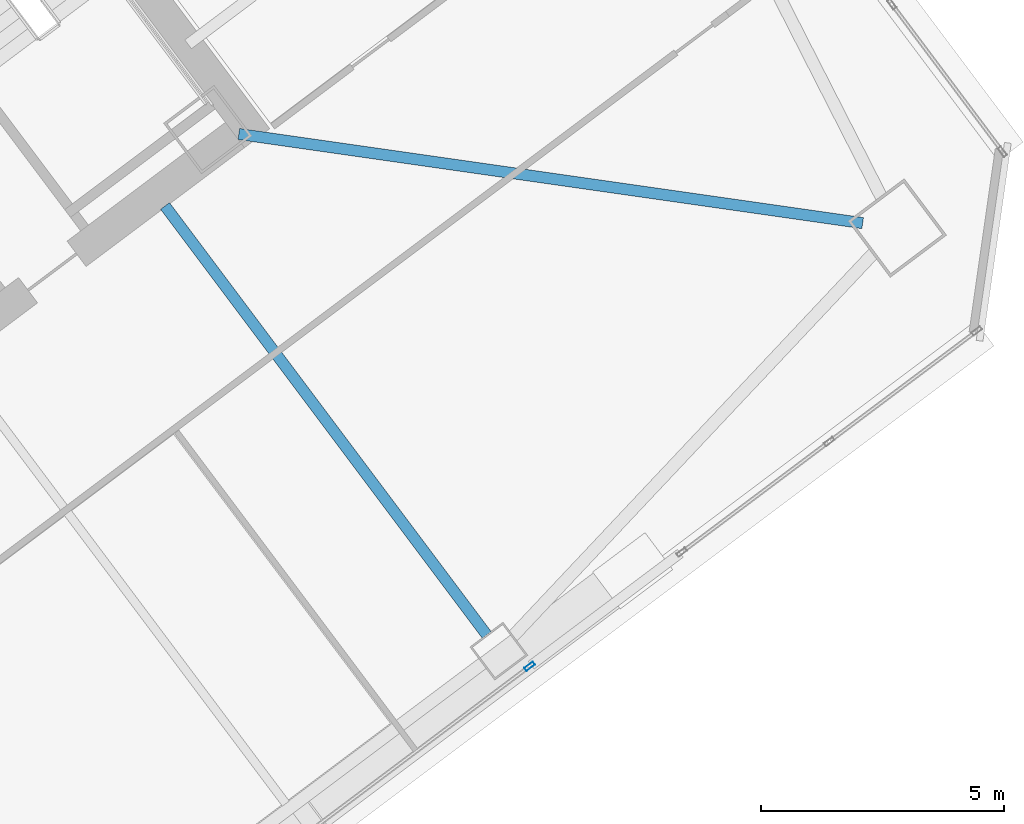
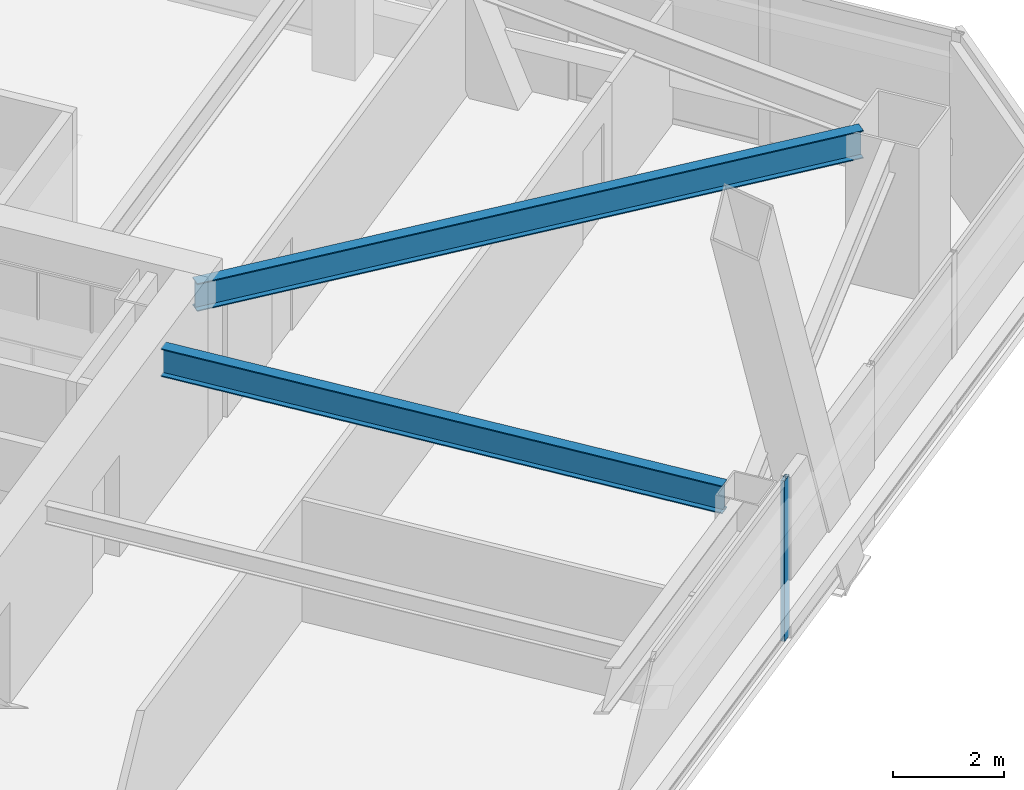
# One storey, part 30 of 54: 2 beams, 1 member, 1 element without a shape of its own.
"""IFC4 building model written with IfcOpenShell, lengths in metres."""

from ifc_helpers import new_model, si_unit, direction, frame, origin, origin_2d, place, context, subcontext, project, spatial, hollow_rectangle, i_section, extrude, material, material_profile, profile_set, type_object, element, aggregate, save


model = new_model("IFC4")

# Units and contexts
model_context = context("Model", 3, precision=1e-05, world=origin(), true_north=direction((0.0, 1.0)))
body_context = subcontext(model_context, "Body", "Model", "MODEL_VIEW")
ifc_project = project(units=[si_unit("LENGTHUNIT", "METRE"), si_unit("AREAUNIT", "SQUARE_METRE"), si_unit("VOLUMEUNIT", "CUBIC_METRE"), si_unit("PLANEANGLEUNIT", "RADIAN"), si_unit("MASSUNIT", "GRAM", prefix="KILO")], contexts=[model_context])

# Site, building, storey
site_placement = place(None, origin())
site = spatial("IfcSite", under=ifc_project, at=site_placement, CompositionType="ELEMENT")
building_placement = place(site_placement, origin())
building = spatial("IfcBuilding", under=site, at=building_placement, Name="Tashvorn Skyway Center", CompositionType="ELEMENT")
storey_placement = place(building_placement, frame((0.0, 0.0, 88.5)))
storey = spatial("IfcBuildingStorey", under=building, at=storey_placement, Name="L23", CompositionType="ELEMENT", Elevation=88.5)

# Beams
ifc_material_1 = material(Name="Steel ASTM A992 Grade 50", Category="steel")
ifc_material_profile_1 = material_profile(ifc_material_1, i_section(OverallWidth=0.22998046875, OverallDepth=0.616943359375, WebThickness=0.01318359375, FlangeThickness=0.022216796875, at=origin_2d()), Name="W24X94")
ifc_profile_set_1 = profile_set([ifc_material_profile_1], Name="Steel ASTM A992 Grade 50")
beam_type = type_object("IfcBeamType", Name="BM-BEAM-W24X94", PredefinedType="BEAM", material=ifc_profile_set_1)
beam_1_placement = place(storey_placement, frame((137.3671875, 28.661865234375, 3.04150390625), z_axis=(-0.989949869571, 0.141418724841, 0.0), x_axis=(-0.141418724841, -0.989949869571, 0.0)))
element("IfcBeam", 1, at=beam_1_placement, inside=storey, type_object=beam_type, Name="Tower 2 L23 Primary Floor Girder MC-SE", PredefinedType="BEAM", context=body_context, shape_type="SweptSolid", body=[
    extrude(i_section(OverallWidth=0.22998046875, OverallDepth=0.616943359375, WebThickness=0.01318359375, FlangeThickness=0.022216796875, at=origin_2d()), origin(), (0.0, 0.0, 1.0), 12.9892578125),
])
beam_2_placement = place(storey_placement, frame((129.617919921875, 20.176025390625, 3.04150390625), z_axis=(-0.599989394744, 0.800007953832, 0.0), x_axis=(-0.800007953832, -0.599989394744, 0.0)))
element("IfcBeam", 2, at=beam_2_placement, inside=storey, type_object=beam_type, Name="Tower 2 L23 Primary Floor Girder FC-S2", PredefinedType="BEAM", context=body_context, shape_type="SweptSolid", body=[
    extrude(i_section(OverallWidth=0.22998046875, OverallDepth=0.616943359375, WebThickness=0.01318359375, FlangeThickness=0.022216796875, at=origin_2d()), origin(), (0.0, 0.0, 1.0), 11.050048828125),
])

# Curtain wall, member
ifc_material_2 = material(Name="Thermally broken bronze-anodized aluminium 6063-T6", Category="aluminium")
curtain_wall_type = type_object("IfcCurtainWallType", Name="CW-CW-Z2", PredefinedType="NOTDEFINED", material=ifc_material_2)
curtain_wall_placement = place(storey_placement, origin())
curtain_wall = element("IfcCurtainWall", 3, at=curtain_wall_placement, inside=storey, type_object=curtain_wall_type, Name="Tower 2 L23 South Unitised Curtain Wall Glazing Group 2", PredefinedType="NOTDEFINED")
ifc_material_profile_2 = material_profile(ifc_material_2, hollow_rectangle(XDim=0.080078125, YDim=0.219970703125, WallThickness=0.0048828125, at=origin_2d()), Name="ALU-MULL-80x220")
ifc_profile_set_2 = profile_set([ifc_material_profile_2], Name="Thermally broken bronze-anodized aluminium 6063-T6")
member_type = type_object("IfcMemberType", Name="CWM-CW-Z2", PredefinedType="MULLION", material=ifc_profile_set_2)
member_placement = place(storey_placement, frame((130.50390625, 19.528076171875, 0.0), z_axis=(0.0, 0.0, 1.0), x_axis=(0.600000000002, -0.799999999998, 0.0)))
member = element("IfcMember", 4, at=member_placement, type_object=member_type, Name="CW-Z2 mullion 1", PredefinedType="MULLION", context=body_context, shape_type="SweptSolid", body=[
    extrude(hollow_rectangle(XDim=0.080078125, YDim=0.219970703125, WallThickness=0.0048828125, at=origin_2d()), origin(), (0.0, 0.0, 1.0), 3.550048828125),
])
aggregate(curtain_wall, [member])

save(model, "model.ifc")
